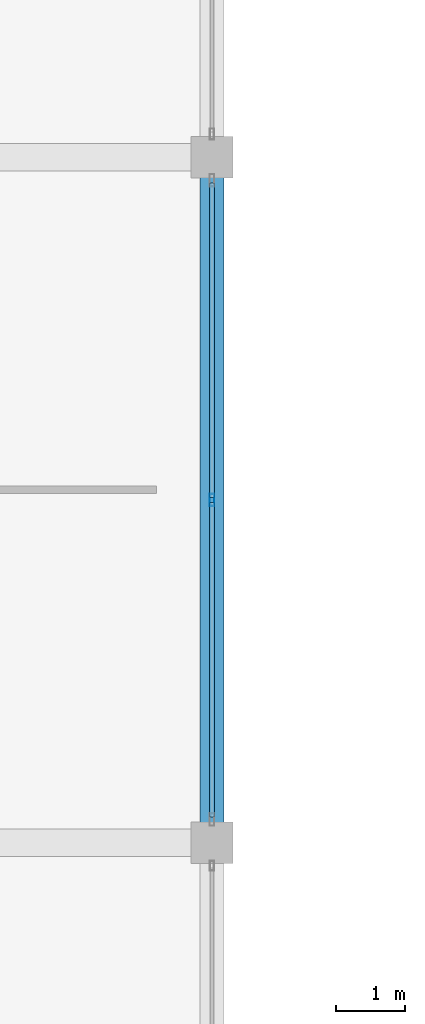
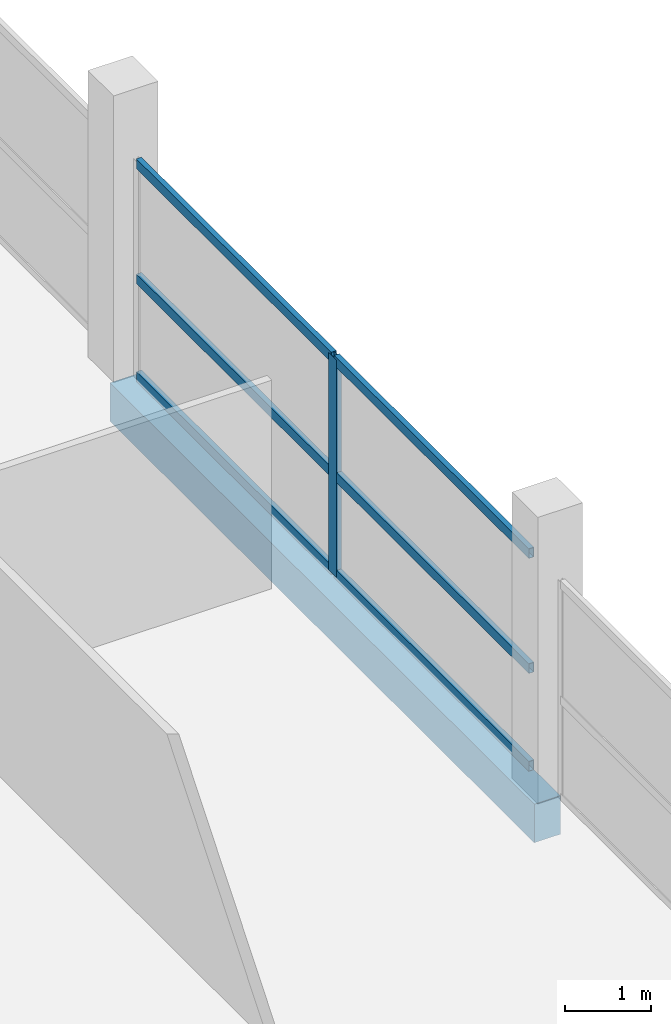
# One storey, part 38 of 66: 7 members, 1 beam, 1 element without a shape of its own.
"""IFC4 building model written with IfcOpenShell, lengths in metres."""

from ifc_helpers import new_model, si_unit, direction, frame, origin, origin_2d, place, context, subcontext, project, spatial, rectangle, hollow_rectangle, extrude, material, layer, layer_set, material_profile, profile_set, type_object, element, aggregate, save


model = new_model("IFC4")

# Units and contexts
model_context = context("Model", 3, precision=1e-05, world=origin(), true_north=direction((0.0, 1.0)))
body_context = subcontext(model_context, "Body", "Model", "MODEL_VIEW")
ifc_project = project(units=[si_unit("LENGTHUNIT", "METRE"), si_unit("AREAUNIT", "SQUARE_METRE"), si_unit("VOLUMEUNIT", "CUBIC_METRE"), si_unit("PLANEANGLEUNIT", "RADIAN"), si_unit("MASSUNIT", "GRAM", prefix="KILO")], contexts=[model_context])

# Site, building, storey
site_placement = place(None, origin())
site = spatial("IfcSite", under=ifc_project, at=site_placement, CompositionType="ELEMENT")
building_placement = place(site_placement, origin())
building = spatial("IfcBuilding", under=site, at=building_placement, Name="Sillaruma Civic Art Gallery", CompositionType="ELEMENT")
storey_placement = place(building_placement, frame((0.0, 0.0, 62.219970703125)))
storey = spatial("IfcBuildingStorey", under=building, at=storey_placement, Name="L12", CompositionType="ELEMENT", Elevation=62.219970703125)

# Beam
ifc_material_1 = material(Name="Concrete H35 (35 MPa)", Category="concrete")
ifc_material_profile_1 = material_profile(ifc_material_1, rectangle(XDim=0.35009765625, YDim=0.550048828125, at=origin_2d()), Name="RCB350x550")
ifc_profile_set_1 = profile_set([ifc_material_profile_1], Name="Concrete H35 (35 MPa)")
beam_type = type_object("IfcBeamType", Name="BM-SPANDREL-RCB350x550", PredefinedType="SPANDREL", material=ifc_profile_set_1)
beam_placement = place(storey_placement, frame((114.39990234375, 59.39990234375, -0.5048828125), z_axis=(0.0, 1.0, 0.0), x_axis=(-1.0, 0.0, 0.0)))
element("IfcBeam", 1, at=beam_placement, inside=storey, type_object=beam_type, Name="Beam BS-04 (L11:N:7-8)", PredefinedType="SPANDREL", context=body_context, shape_type="SweptSolid", body=[
    extrude(rectangle(XDim=0.35009765625, YDim=0.550048828125, at=origin_2d()), origin(), (0.0, 0.0, 1.0), 9.900146484375),
])

# Curtain wall, members
ifc_material_2 = material(Name="Thermally Broken Extruded Aluminium 6063-T6", Category="aluminium")
ifc_layer = layer(ifc_material_2, 0.179931640625, Name="Thermally Broken Extruded Aluminium 6063-T6")
ifc_layer_set = layer_set([ifc_layer], Name="Thermally Broken Extruded Aluminium 6063-T6")
curtain_wall_type = type_object("IfcCurtainWallType", Name="CW-UNI-101", PredefinedType="NOTDEFINED", material=ifc_layer_set)
curtain_wall_placement = place(storey_placement, origin())
curtain_wall = element("IfcCurtainWall", 2, at=curtain_wall_placement, inside=storey, type_object=curtain_wall_type, Name="Unitised Curtain Wall CW-101 (CW-L12-EBE-5)", PredefinedType="NOTDEFINED")
ifc_material_profile_2 = material_profile(ifc_material_2, hollow_rectangle(XDim=0.070068359375, YDim=0.179931640625, WallThickness=0.00390625, at=origin_2d()), Name="CWM70x180")
ifc_profile_set_2 = profile_set([ifc_material_profile_2], Name="Thermally Broken Extruded Aluminium 6063-T6")
member_type_1 = type_object("IfcMemberType", Name="MEM-MUL-CWM70x180", PredefinedType="MULLION", material=ifc_profile_set_2)
member_1_placement = place(storey_placement, frame((114.39990234375, 64.35009765625, 0.0), z_axis=(0.0, 0.0, 1.0), x_axis=(-1.0, 0.0, 0.0)))
member_1 = element("IfcMember", 3, at=member_1_placement, type_object=member_type_1, Name="CW-101 mullion 2", PredefinedType="MULLION", context=body_context, shape_type="SweptSolid", body=[
    extrude(hollow_rectangle(XDim=0.070068359375, YDim=0.179931640625, WallThickness=0.00390625, at=origin_2d()), origin(), (0.0, 0.0, 1.0), 3.10009765625),
])
ifc_material_profile_3 = material_profile(ifc_material_2, hollow_rectangle(XDim=0.070068359375, YDim=0.139892578125, WallThickness=0.00390625, at=origin_2d()), Name="CWT70x140")
ifc_profile_set_3 = profile_set([ifc_material_profile_3], Name="Thermally Broken Extruded Aluminium 6063-T6")
member_type_2 = type_object("IfcMemberType", Name="MEM-TRN-CWT70x140", PredefinedType="USERDEFINED", material=ifc_profile_set_3)
member_2_placement = place(storey_placement, frame((114.39990234375, 59.77001953125, 0.034912109375), z_axis=(0.0, 1.0, 0.0), x_axis=(-1.0, 0.0, 0.0)))
member_2 = element("IfcMember", 4, at=member_2_placement, type_object=member_type_2, Name="CW-101 transom 1.1", ObjectType="TRANSOM", PredefinedType="USERDEFINED", context=body_context, shape_type="SweptSolid", body=[
    extrude(hollow_rectangle(XDim=0.070068359375, YDim=0.139892578125, WallThickness=0.00390625, at=origin_2d()), origin(), (0.0, 0.0, 1.0), 4.544921875),
])
member_3_placement = place(storey_placement, frame((114.39990234375, 59.77001953125, 1.426025390625), z_axis=(0.0, 1.0, 0.0), x_axis=(-1.0, 0.0, 0.0)))
member_3 = element("IfcMember", 5, at=member_3_placement, type_object=member_type_2, Name="CW-101 transom 1.2", ObjectType="TRANSOM", PredefinedType="USERDEFINED", context=body_context, shape_type="SweptSolid", body=[
    extrude(hollow_rectangle(XDim=0.070068359375, YDim=0.139892578125, WallThickness=0.00390625, at=origin_2d()), origin(), (0.0, 0.0, 1.0), 4.544921875),
])
member_4_placement = place(storey_placement, frame((114.39990234375, 59.77001953125, 3.06494140625), z_axis=(0.0, 1.0, 0.0), x_axis=(-1.0, 0.0, 0.0)))
member_4 = element("IfcMember", 6, at=member_4_placement, type_object=member_type_2, Name="CW-101 transom 1.3", ObjectType="TRANSOM", PredefinedType="USERDEFINED", context=body_context, shape_type="SweptSolid", body=[
    extrude(hollow_rectangle(XDim=0.070068359375, YDim=0.139892578125, WallThickness=0.00390625, at=origin_2d()), origin(), (0.0, 0.0, 1.0), 4.544921875),
])
member_5_placement = place(storey_placement, frame((114.39990234375, 64.385009765625, 0.034912109375), z_axis=(0.0, 1.0, 0.0), x_axis=(-1.0, 0.0, 0.0)))
member_5 = element("IfcMember", 7, at=member_5_placement, type_object=member_type_2, Name="CW-101 transom 2.1", ObjectType="TRANSOM", PredefinedType="USERDEFINED", context=body_context, shape_type="SweptSolid", body=[
    extrude(hollow_rectangle(XDim=0.070068359375, YDim=0.139892578125, WallThickness=0.00390625, at=origin_2d()), origin(), (0.0, 0.0, 1.0), 4.544921875),
])
member_6_placement = place(storey_placement, frame((114.39990234375, 64.385009765625, 1.426025390625), z_axis=(0.0, 1.0, 0.0), x_axis=(-1.0, 0.0, 0.0)))
member_6 = element("IfcMember", 8, at=member_6_placement, type_object=member_type_2, Name="CW-101 transom 2.2", ObjectType="TRANSOM", PredefinedType="USERDEFINED", context=body_context, shape_type="SweptSolid", body=[
    extrude(hollow_rectangle(XDim=0.070068359375, YDim=0.139892578125, WallThickness=0.00390625, at=origin_2d()), origin(), (0.0, 0.0, 1.0), 4.544921875),
])
member_7_placement = place(storey_placement, frame((114.39990234375, 64.385009765625, 3.06494140625), z_axis=(0.0, 1.0, 0.0), x_axis=(-1.0, 0.0, 0.0)))
member_7 = element("IfcMember", 9, at=member_7_placement, type_object=member_type_2, Name="CW-101 transom 2.3", ObjectType="TRANSOM", PredefinedType="USERDEFINED", context=body_context, shape_type="SweptSolid", body=[
    extrude(hollow_rectangle(XDim=0.070068359375, YDim=0.139892578125, WallThickness=0.00390625, at=origin_2d()), origin(), (0.0, 0.0, 1.0), 4.544921875),
])
aggregate(curtain_wall, [member_1, member_2, member_3, member_4, member_5, member_6, member_7])

save(model, "model.ifc")
